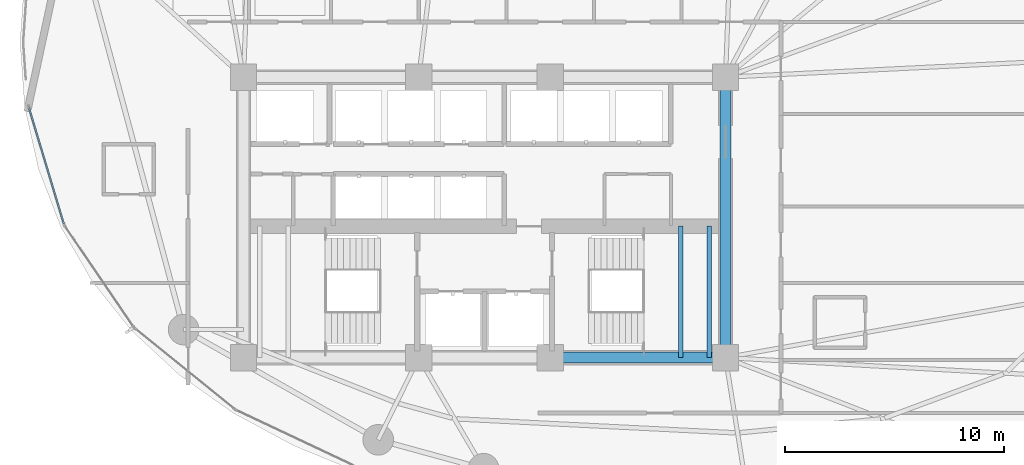
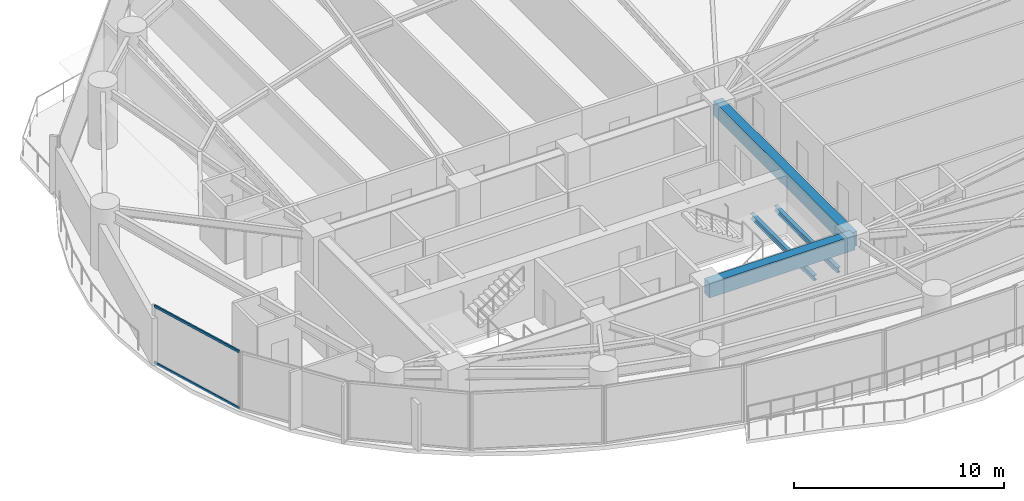
# One storey, part 7 of 31: 4 beams, 2 members, 1 element without a shape of its own.
"""IFC4 building model written with IfcOpenShell, lengths in metres."""

from ifc_helpers import new_model, si_unit, direction, frame, origin, origin_2d, place, context, subcontext, project, spatial, rectangle, hollow_rectangle, i_section, extrude, material, layer, layer_set, material_profile, profile_set, type_object, element, aggregate, save


model = new_model("IFC4")

# Units and contexts
model_context = context("Model", 3, precision=1e-05, world=origin(), true_north=direction((0.0, 1.0)))
body_context = subcontext(model_context, "Body", "Model", "MODEL_VIEW")
ifc_project = project(units=[si_unit("LENGTHUNIT", "METRE"), si_unit("AREAUNIT", "SQUARE_METRE"), si_unit("VOLUMEUNIT", "CUBIC_METRE"), si_unit("PLANEANGLEUNIT", "RADIAN"), si_unit("MASSUNIT", "GRAM", prefix="KILO")], contexts=[model_context])

# Site, building, storey
site_placement = place(None, origin())
site = spatial("IfcSite", under=ifc_project, at=site_placement, CompositionType="ELEMENT")
building_placement = place(site_placement, origin())
building = spatial("IfcBuilding", under=site, at=building_placement, Name="Kazevale Care Tower and Concert Hall", CompositionType="ELEMENT")
storey_placement = place(building_placement, frame((0.0, 0.0, 81.60009765625)))
storey = spatial("IfcBuildingStorey", under=building, at=storey_placement, Name="L21", CompositionType="ELEMENT", Elevation=81.60009765625)

# Curtain wall, members
ifc_material_1 = material(Name="Aluminium 6063-T6 and Low-E Glass", Category="aluminium")
ifc_layer = layer(ifc_material_1, 0.179931640625)
ifc_layer_set = layer_set([ifc_layer], Name="Aluminium 6063-T6 and Low-E Glass")
curtain_wall_type = type_object("IfcCurtainWallType", Name="Waist & Upper Residential Curtain Wall CW-4", PredefinedType="NOTDEFINED", material=ifc_layer_set)
curtain_wall_placement = place(storey_placement, origin())
curtain_wall = element("IfcCurtainWall", 1, at=curtain_wall_placement, inside=storey, type_object=curtain_wall_type, Name="cw:L21:f12", PredefinedType="NOTDEFINED")
ifc_material_2 = material(Name="Aluminium 6063-T6", Category="aluminium")
ifc_material_profile_1 = material_profile(ifc_material_2, hollow_rectangle(XDim=0.080078125, YDim=0.139892578125, WallThickness=0.00390625, at=origin_2d()), Name="ALU80x140x4")
ifc_profile_set_1 = profile_set([ifc_material_profile_1], Name="Aluminium 6063-T6")
member_type = type_object("IfcMemberType", Name="CW-4 Transom ALU80x140x4", PredefinedType="USERDEFINED", material=ifc_profile_set_1)
member_1_placement = place(storey_placement, frame((13.802978515625, 29.715576171875, 0.039794921875), z_axis=(-0.287906465712, 0.957658533613, 0.0), x_axis=(-0.957658533613, -0.287906465712, 0.0)))
member_1 = element("IfcMember", 2, at=member_1_placement, type_object=member_type, Name="CW-4 transom 1.1", ObjectType="TRANSOM", PredefinedType="USERDEFINED", context=body_context, shape_type="SweptSolid", body=[
    extrude(hollow_rectangle(XDim=0.080078125, YDim=0.139892578125, WallThickness=0.00390625, at=origin_2d()), origin(), (0.0, 0.0, 1.0), 5.533203125),
])
member_2_placement = place(storey_placement, frame((13.802978515625, 29.715576171875, 3.31982421875), z_axis=(-0.287906465712, 0.957658533613, 0.0), x_axis=(-0.957658533613, -0.287906465712, 0.0)))
member_2 = element("IfcMember", 3, at=member_2_placement, type_object=member_type, Name="CW-4 transom 1.2", ObjectType="TRANSOM", PredefinedType="USERDEFINED", context=body_context, shape_type="SweptSolid", body=[
    extrude(hollow_rectangle(XDim=0.080078125, YDim=0.139892578125, WallThickness=0.00390625, at=origin_2d()), origin(), (0.0, 0.0, 1.0), 5.533203125),
])
aggregate(curtain_wall, [member_1, member_2])

# Beams
ifc_material_3 = material(Name="Concrete C60", Category="concrete")
ifc_material_profile_2 = material_profile(ifc_material_3, rectangle(XDim=0.5, YDim=0.85009765625, at=origin_2d()), Name="RC-B500x850")
ifc_profile_set_2 = profile_set([ifc_material_profile_2], Name="Concrete C60")
beam_type_1 = type_object("IfcBeamType", Name="Core Coupling Beam RC500x850", PredefinedType="LINTEL", material=ifc_profile_set_2)
beam_1_placement = place(storey_placement, frame((36.0, 23.60009765625, 2.934814453125), z_axis=(1.0, 0.0, 0.0), x_axis=(0.0, 1.0, 0.0)))
element("IfcBeam", 4, at=beam_1_placement, inside=storey, type_object=beam_type_1, Name="beam:L21:coretie:3", PredefinedType="LINTEL", context=body_context, shape_type="SweptSolid", body=[
    extrude(rectangle(XDim=0.5, YDim=0.85009765625, at=origin_2d()), origin(), (0.0, 0.0, 1.0), 8.0),
])
beam_2_placement = place(storey_placement, frame((44.0, 23.60009765625, 2.934814453125), z_axis=(0.0, 1.0, 0.0), x_axis=(-1.0, 0.0, 0.0)))
element("IfcBeam", 5, at=beam_2_placement, inside=storey, type_object=beam_type_1, Name="beam:L21:coretie:4", PredefinedType="LINTEL", context=body_context, shape_type="SweptSolid", body=[
    extrude(rectangle(XDim=0.5, YDim=0.85009765625, at=origin_2d()), origin(), (0.0, 0.0, 1.0), 12.7998046875),
])
ifc_material_4 = material(Name="Steel ASTM A572 Gr 50", Category="steel")
ifc_material_profile_3 = material_profile(ifc_material_4, i_section(OverallWidth=0.202880859375, OverallDepth=0.302978515625, WebThickness=0.007568359375, FlangeThickness=0.01318359375, at=origin_2d()), Name="W310x60")
ifc_profile_set_3 = profile_set([ifc_material_profile_3], Name="Steel ASTM A572 Gr 50")
beam_type_2 = type_object("IfcBeamType", Name="Stair & Balcony Trimmer W310x60", PredefinedType="BEAM", material=ifc_profile_set_3)
for number, where, z_axis, x_axis, name in (
    (6, (41.949951171875, 23.60009765625, 1.448486328125), (0.0, 1.0, 0.0), (-1.0, 0.0, 0.0), "beam:L21:sttrim:ST2"),
    (7, (43.25, 23.60009765625, 1.448486328125), (0.0, 1.0, 0.0), (-1.0, 0.0, 0.0), "beam:L21:sttrim:ST2b"),
):
    element("IfcBeam", number, at=place(storey_placement, frame(where, z_axis=z_axis, x_axis=x_axis)), inside=storey, type_object=beam_type_2, Name=name, PredefinedType="BEAM", context=body_context, shape_type="SweptSolid", body=[
        extrude(i_section(OverallWidth=0.202880859375, OverallDepth=0.302978515625, WebThickness=0.007568359375, FlangeThickness=0.01318359375, at=origin_2d()), origin(), (0.0, 0.0, 1.0), 6.0),
    ])

save(model, "model.ifc")
